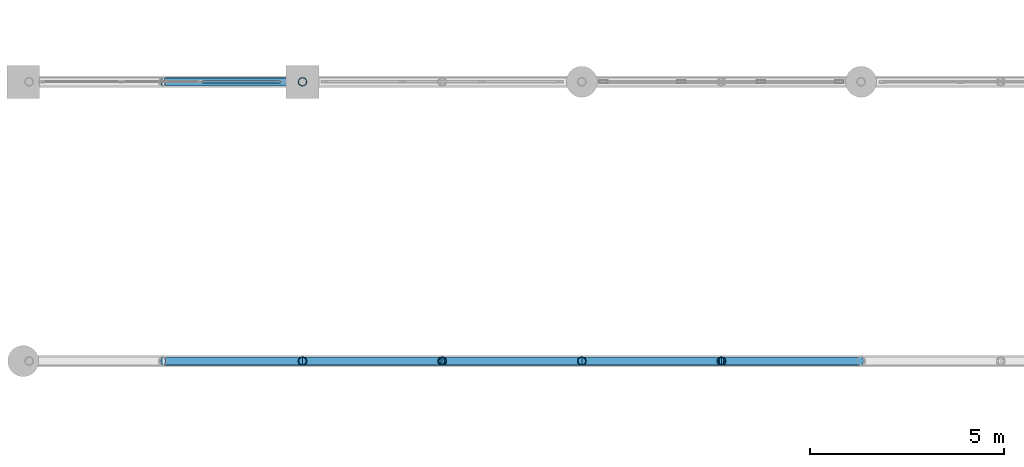
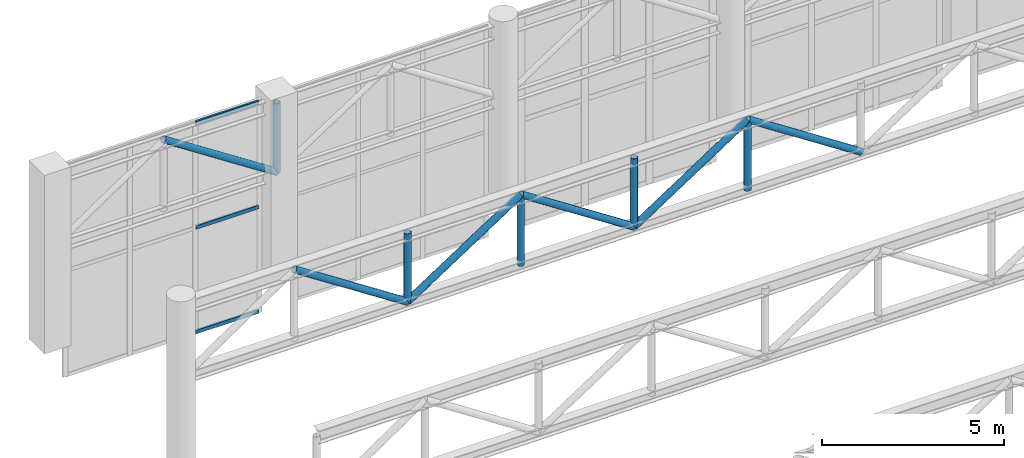
# One storey, part 98 of 153: 14 members, 1 element without a shape of its own.
"""IFC4 building model written with IfcOpenShell, lengths in metres."""

from ifc_helpers import new_model, si_unit, direction, frame, origin, origin_2d, place, context, subcontext, project, spatial, hollow_rectangle, hollow_circle, extrude, material, material_profile, profile_set, type_object, element, aggregate, save


model = new_model("IFC4")

# Units and contexts
model_context = context("Model", 3, precision=1e-05, world=origin(), true_north=direction((0.0, 1.0)))
body_context = subcontext(model_context, "Body", "Model", "MODEL_VIEW")
ifc_project = project(units=[si_unit("LENGTHUNIT", "METRE"), si_unit("AREAUNIT", "SQUARE_METRE"), si_unit("VOLUMEUNIT", "CUBIC_METRE"), si_unit("PLANEANGLEUNIT", "RADIAN"), si_unit("MASSUNIT", "GRAM", prefix="KILO")], contexts=[model_context])

# Site, building, storey
site_placement = place(None, origin())
site = spatial("IfcSite", under=ifc_project, at=site_placement, CompositionType="ELEMENT")
building_placement = place(site_placement, origin())
building = spatial("IfcBuilding", under=site, at=building_placement, Name="Qandorah Velis Arena", CompositionType="ELEMENT")
storey_placement = place(building_placement, frame((0.0, 0.0, 5.39990234375)))
storey = spatial("IfcBuildingStorey", under=building, at=storey_placement, Name="L01", CompositionType="ELEMENT", Elevation=5.39990234375)

# Curtain wall, members
ifc_material_1 = material(Name="Solar-control low-E double glazing", Category="glass")
curtain_wall_type = type_object("IfcCurtainWallType", Name="ARC-CW-SYS15", PredefinedType="USERDEFINED", material=ifc_material_1)
curtain_wall_placement = place(storey_placement, origin())
curtain_wall = element("IfcCurtainWall", 1, at=curtain_wall_placement, inside=storey, type_object=curtain_wall_type, Name="Unitised curtain wall L01-159", ObjectType="UNITISED CURTAIN WALL", PredefinedType="USERDEFINED")
ifc_material_2 = material(Name="Champagne-bronze anodized aluminium 6063-T6", Category="aluminium")
ifc_material_profile_1 = material_profile(ifc_material_2, hollow_rectangle(XDim=0.06005859375, YDim=0.1201171875, WallThickness=0.0029296875, at=origin_2d()), Name="ALU TRANSOM 60x120")
ifc_profile_set_1 = profile_set([ifc_material_profile_1], Name="Champagne-bronze anodized aluminium 6063-T6")
member_type_1 = type_object("IfcMemberType", Name="ARC-CWT-120", PredefinedType="USERDEFINED", material=ifc_profile_set_1)
member_1_placement = place(storey_placement, frame((127.01806640625, 122.39990234375, -1.27001953125), z_axis=(1.0, 0.0, 0.0), x_axis=(0.0, 1.0, 0.0)))
member_1 = element("IfcMember", 2, at=member_1_placement, type_object=member_type_1, Name="CW15 transom 3.1", ObjectType="TRANSOM", PredefinedType="USERDEFINED", context=body_context, shape_type="SweptSolid", body=[
    extrude(hollow_rectangle(XDim=0.06005859375, YDim=0.1201171875, WallThickness=0.0029296875, at=origin_2d()), origin(), (0.0, 0.0, 1.0), 2.009033203125),
])
member_2_placement = place(storey_placement, frame((127.01806640625, 122.39990234375, 2.239990234375), z_axis=(1.0, 0.0, 0.0), x_axis=(0.0, 1.0, 0.0)))
member_2 = element("IfcMember", 3, at=member_2_placement, type_object=member_type_1, Name="CW15 transom 3.2", ObjectType="TRANSOM", PredefinedType="USERDEFINED", context=body_context, shape_type="SweptSolid", body=[
    extrude(hollow_rectangle(XDim=0.06005859375, YDim=0.1201171875, WallThickness=0.0029296875, at=origin_2d()), origin(), (0.0, 0.0, 1.0), 2.009033203125),
])
member_3_placement = place(storey_placement, frame((127.01806640625, 122.39990234375, 5.75), z_axis=(1.0, 0.0, 0.0), x_axis=(0.0, 1.0, 0.0)))
member_3 = element("IfcMember", 4, at=member_3_placement, type_object=member_type_1, Name="CW15 transom 3.3", ObjectType="TRANSOM", PredefinedType="USERDEFINED", context=body_context, shape_type="SweptSolid", body=[
    extrude(hollow_rectangle(XDim=0.06005859375, YDim=0.1201171875, WallThickness=0.0029296875, at=origin_2d()), origin(), (0.0, 0.0, 1.0), 2.009033203125),
])
aggregate(curtain_wall, [member_1, member_2, member_3])

# Members
ifc_material_3 = material(Name="Steel S355", Category="steel")
ifc_material_profile_2 = material_profile(ifc_material_3, hollow_circle(Radius=0.109619140625, WallThickness=0.010009765625, at=origin_2d()), Name="CHS 219.1x10")
ifc_profile_set_2 = profile_set([ifc_material_profile_2], Name="Steel S355")
member_type_2 = type_object("IfcMemberType", Name="STR-SFD-CHS219X10", PredefinedType="STRUT", material=ifc_profile_set_2)
member_4_placement = place(storey_placement, frame((126.0, 115.199951171875, 5.55517578125), z_axis=(0.837375540217, 0.0, -0.546628031339), x_axis=(0.0, 1.0, 0.0)))
element("IfcMember", 5, at=member_4_placement, inside=storey, type_object=member_type_2, Name="Practice court roof truss 4 web diagonal 2", PredefinedType="STRUT", context=body_context, shape_type="SweptSolid", body=[
    extrude(hollow_circle(Radius=0.109619140625, WallThickness=0.010009765625, at=origin_2d()), origin(), (0.0, 0.0, 1.0), 4.29931640625),
])
member_5_placement = place(storey_placement, frame((129.60009765625, 115.199951171875, 3.205078125), z_axis=(0.0, 0.0, 1.0), x_axis=(1.0, 0.0, 0.0)))
element("IfcMember", 6, at=member_5_placement, inside=storey, type_object=member_type_2, Name="Practice court roof truss 4 vertical 3", PredefinedType="STRUT", context=body_context, shape_type="SweptSolid", body=[
    extrude(hollow_circle(Radius=0.109619140625, WallThickness=0.010009765625, at=origin_2d()), origin(), (0.0, 0.0, 1.0), 2.35009765625),
])
member_6_placement = place(storey_placement, frame((129.60009765625, 115.199951171875, 3.205078125), z_axis=(0.837358571039, 0.0, 0.54665402542), x_axis=(0.0, 1.0, 0.0)))
element("IfcMember", 7, at=member_6_placement, inside=storey, type_object=member_type_2, Name="Practice court roof truss 4 web diagonal 3", PredefinedType="STRUT", context=body_context, shape_type="SweptSolid", body=[
    extrude(hollow_circle(Radius=0.109619140625, WallThickness=0.010009765625, at=origin_2d()), origin(), (0.0, 0.0, 1.0), 4.299072265625),
])
member_7_placement = place(storey_placement, frame((133.199951171875, 115.199951171875, 3.205078125), z_axis=(0.0, 0.0, 1.0), x_axis=(1.0, 0.0, 0.0)))
element("IfcMember", 8, at=member_7_placement, inside=storey, type_object=member_type_2, Name="Practice court roof truss 4 vertical 4", PredefinedType="STRUT", context=body_context, shape_type="SweptSolid", body=[
    extrude(hollow_circle(Radius=0.109619140625, WallThickness=0.010009765625, at=origin_2d()), origin(), (0.0, 0.0, 1.0), 2.35009765625),
])
member_8_placement = place(storey_placement, frame((133.199951171875, 115.199951171875, 5.55517578125), z_axis=(0.837375540217, 0.0, -0.546628031339), x_axis=(0.0, 1.0, 0.0)))
element("IfcMember", 9, at=member_8_placement, inside=storey, type_object=member_type_2, Name="Practice court roof truss 4 web diagonal 4", PredefinedType="STRUT", context=body_context, shape_type="SweptSolid", body=[
    extrude(hollow_circle(Radius=0.109619140625, WallThickness=0.010009765625, at=origin_2d()), origin(), (0.0, 0.0, 1.0), 4.29931640625),
])
member_9_placement = place(storey_placement, frame((136.800048828125, 115.199951171875, 3.205078125), z_axis=(0.0, 0.0, 1.0), x_axis=(1.0, 0.0, 0.0)))
element("IfcMember", 10, at=member_9_placement, inside=storey, type_object=member_type_2, Name="Practice court roof truss 4 vertical 5", PredefinedType="STRUT", context=body_context, shape_type="SweptSolid", body=[
    extrude(hollow_circle(Radius=0.109619140625, WallThickness=0.010009765625, at=origin_2d()), origin(), (0.0, 0.0, 1.0), 2.35009765625),
])
member_10_placement = place(storey_placement, frame((136.800048828125, 115.199951171875, 3.205078125), z_axis=(0.837358571039, 0.0, 0.54665402542), x_axis=(0.0, 1.0, 0.0)))
element("IfcMember", 11, at=member_10_placement, inside=storey, type_object=member_type_2, Name="Practice court roof truss 4 web diagonal 5", PredefinedType="STRUT", context=body_context, shape_type="SweptSolid", body=[
    extrude(hollow_circle(Radius=0.109619140625, WallThickness=0.010009765625, at=origin_2d()), origin(), (0.0, 0.0, 1.0), 4.299072265625),
])
member_11_placement = place(storey_placement, frame((140.39990234375, 115.199951171875, 3.205078125), z_axis=(0.0, 0.0, 1.0), x_axis=(1.0, 0.0, 0.0)))
element("IfcMember", 12, at=member_11_placement, inside=storey, type_object=member_type_2, Name="Practice court roof truss 4 vertical 6", PredefinedType="STRUT", context=body_context, shape_type="SweptSolid", body=[
    extrude(hollow_circle(Radius=0.109619140625, WallThickness=0.010009765625, at=origin_2d()), origin(), (0.0, 0.0, 1.0), 2.35009765625),
])
for number, where, z_axis, x_axis, name in (
    (13, (140.39990234375, 115.199951171875, 5.55517578125), (0.837375540217, 0.0, -0.546628031339), (0.0, 1.0, 0.0), "Practice court roof truss 4 web diagonal 6"),
    (14, (126.0, 122.39990234375, 5.55517578125), (0.837375540217, 0.0, -0.546628031339), (0.0, 1.0, 0.0), "Practice court roof truss 5 web diagonal 2"),
):
    element("IfcMember", number, at=place(storey_placement, frame(where, z_axis=z_axis, x_axis=x_axis)), inside=storey, type_object=member_type_2, Name=name, PredefinedType="STRUT", context=body_context, shape_type="SweptSolid", body=[
        extrude(hollow_circle(Radius=0.109619140625, WallThickness=0.010009765625, at=origin_2d()), origin(), (0.0, 0.0, 1.0), 4.29931640625),
    ])
member_12_placement = place(storey_placement, frame((129.60009765625, 122.39990234375, 3.205078125), z_axis=(0.0, 0.0, 1.0), x_axis=(1.0, 0.0, 0.0)))
element("IfcMember", 15, at=member_12_placement, inside=storey, type_object=member_type_2, Name="Practice court roof truss 5 vertical 3", PredefinedType="STRUT", context=body_context, shape_type="SweptSolid", body=[
    extrude(hollow_circle(Radius=0.109619140625, WallThickness=0.010009765625, at=origin_2d()), origin(), (0.0, 0.0, 1.0), 2.35009765625),
])

save(model, "model.ifc")
